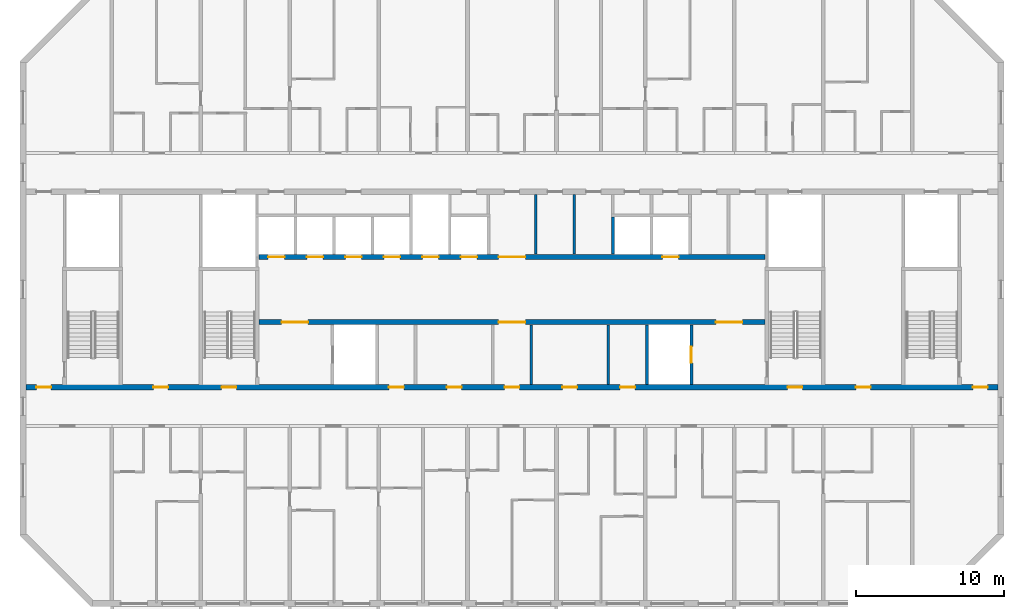
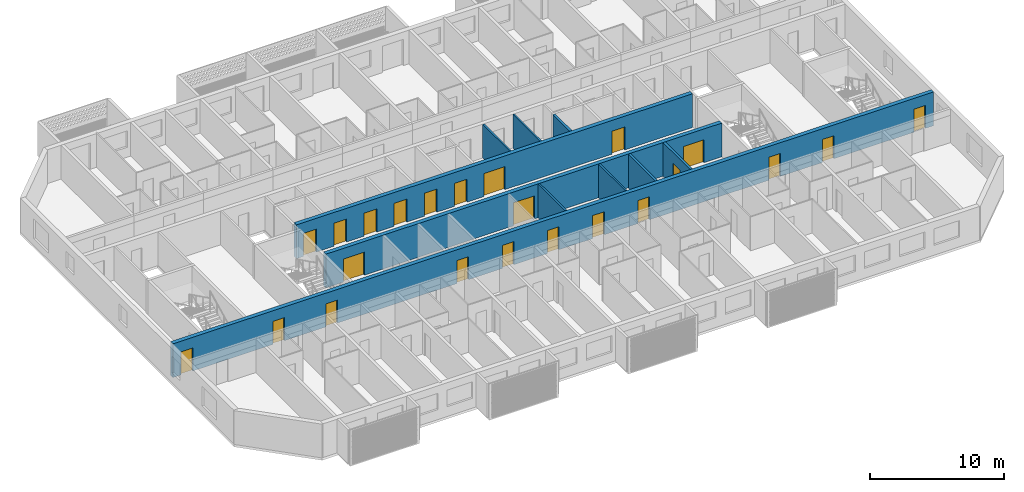
# One storey, part 6 of 29: 23 doors, 10 walls, 23 openings.
"""IFC4 building model written with IfcOpenShell, lengths in metres."""

from ifc_helpers import new_model, si_unit, direction, frame, frame_2d, origin, place, context, subcontext, project, spatial, rectangle, extrude, material, layer, layer_set, type_object, element, fill, save


model = new_model("IFC4")

# Units and contexts
model_context = context("Model", 3, precision=1e-05, world=origin(), true_north=direction((0.0, 1.0)))
body_context = subcontext(model_context, "Body", "Model", "MODEL_VIEW")
ifc_project = project(units=[si_unit("LENGTHUNIT", "METRE"), si_unit("AREAUNIT", "SQUARE_METRE"), si_unit("VOLUMEUNIT", "CUBIC_METRE"), si_unit("PLANEANGLEUNIT", "RADIAN"), si_unit("MASSUNIT", "GRAM", prefix="KILO")], contexts=[model_context])

# Site, building, storey
site_placement = place(None, origin())
site = spatial("IfcSite", under=ifc_project, at=site_placement, CompositionType="ELEMENT")
building_placement = place(site_placement, origin())
building = spatial("IfcBuilding", under=site, at=building_placement, Name="Poui Terraces", CompositionType="ELEMENT")
storey_placement = place(building_placement, frame((0.0, 0.0, 231.300048828125)))
storey = spatial("IfcBuildingStorey", under=building, at=storey_placement, Name="L64", CompositionType="ELEMENT", Elevation=231.300048828125)

# Wall, openings, doors
ifc_material_1 = material(Name="Concrete 50 MPa", Category="concrete")
ifc_layer_1 = layer(ifc_material_1, 0.35009765625)
ifc_layer_set_1 = layer_set([ifc_layer_1], Name="Concrete 50 MPa")
wall_type_1 = type_object("IfcWallType", Name="CORE WALL 350 50 MPA", PredefinedType="SOLIDWALL", material=ifc_layer_set_1)
wall_1_placement = place(storey_placement, frame((33.925048828125, 19.0, 0.0), z_axis=(0.0, 0.0, 1.0), x_axis=(1.0, 0.0, 0.0)))
wall_1 = element("IfcWall", 1, at=wall_1_placement, inside=storey, type_object=wall_type_1, Name="CORE WALL", PredefinedType="SOLIDWALL", context=body_context, shape_type="SweptSolid", body=[
    extrude(rectangle(XDim=34.14990234375, YDim=0.35009765625, at=frame_2d((17.074951171875, 0.0))), origin(), (0.0, 0.0, 1.0), 3.079833984375),
])
opening_1_placement = place(wall_1_placement, frame((16.175048828125, 0.0, 0.0)))
opening_1 = element("IfcOpeningElement", 2, at=opening_1_placement, cuts=wall_1, Name="Opening FDD60", PredefinedType="OPENING", context=body_context, shape_type="SweptSolid", body=[
    extrude(rectangle(XDim=1.800048828125, YDim=2.10009765625, at=frame_2d((0.89990234375, 1.050048828125))), frame((0.0, 0.18505859375, 0.0), z_axis=(0.0, -1.0, 0.0), x_axis=(1.0, 0.0, 0.0)), (0.0, 0.0, 1.0), 0.3701171875),
])
opening_2_placement = place(wall_1_placement, frame((1.52490234375, 0.0, 0.0)))
opening_2 = element("IfcOpeningElement", 3, at=opening_2_placement, cuts=wall_1, Name="Opening FDD60", PredefinedType="OPENING", context=body_context, shape_type="SweptSolid", body=[
    extrude(rectangle(XDim=1.800048828125, YDim=2.10009765625, at=frame_2d((0.89990234375, 1.050048828125))), frame((0.0, 0.18505859375, 0.0), z_axis=(0.0, -1.0, 0.0), x_axis=(1.0, 0.0, 0.0)), (0.0, 0.0, 1.0), 0.3701171875),
])
opening_3_placement = place(wall_1_placement, frame((30.824951171875, 0.0, 0.0)))
opening_3 = element("IfcOpeningElement", 4, at=opening_3_placement, cuts=wall_1, Name="Opening FDD60", PredefinedType="OPENING", context=body_context, shape_type="SweptSolid", body=[
    extrude(rectangle(XDim=1.800048828125, YDim=2.10009765625, at=frame_2d((0.89990234375, 1.050048828125))), frame((0.0, 0.18505859375, 0.0), z_axis=(0.0, -1.0, 0.0), x_axis=(1.0, 0.0, 0.0)), (0.0, 0.0, 1.0), 0.3701171875),
])
ifc_material_2 = material(Name="Steel fire door", Category="steel")
door_type_1 = type_object("IfcDoorType", Name="DOUBLE LOBBY FIRE DOOR 1800 X 2100", OperationType="DOUBLE_DOOR_SINGLE_SWING", PredefinedType="DOOR", material=ifc_material_2)
door_1_placement = place(opening_1_placement, frame((1.800048828125, 0.0, 0.0), z_axis=(0.0, 0.0, 1.0), x_axis=(-1.0, 0.0, 0.0)))
door_1 = element("IfcDoor", 5, at=door_1_placement, inside=storey, type_object=door_type_1, Name="DOUBLE LOBBY FIRE DOOR 105", OperationType="DOUBLE_DOOR_SINGLE_SWING", OverallHeight=2.10009765625, OverallWidth=1.800048828125, PredefinedType="DOOR", context=body_context, shape_type="SweptSolid", body=[
    extrude(rectangle(XDim=1.800048828125, YDim=2.10009765625, at=frame_2d((0.89990234375, 1.050048828125))), frame((0.0, 0.02490234375, 0.0), z_axis=(0.0, -1.0, 0.0), x_axis=(1.0, 0.0, 0.0)), (0.0, 0.0, 1.0), 0.050048828125),
])
fill(opening_1, door_1)
door_2_placement = place(opening_2_placement, origin())
door_2 = element("IfcDoor", 6, at=door_2_placement, inside=storey, type_object=door_type_1, Name="DOUBLE LOBBY FIRE DOOR 107", OperationType="DOUBLE_DOOR_SINGLE_SWING", OverallHeight=2.10009765625, OverallWidth=1.800048828125, PredefinedType="DOOR", context=body_context, shape_type="SweptSolid", body=[
    extrude(rectangle(XDim=1.800048828125, YDim=2.10009765625, at=frame_2d((0.89990234375, 1.050048828125))), frame((0.0, 0.02490234375, 0.0), z_axis=(0.0, -1.0, 0.0), x_axis=(1.0, 0.0, 0.0)), (0.0, 0.0, 1.0), 0.050048828125),
])
fill(opening_2, door_2)
door_3_placement = place(opening_3_placement, origin())
door_3 = element("IfcDoor", 7, at=door_3_placement, inside=storey, type_object=door_type_1, Name="DOUBLE LOBBY FIRE DOOR 114", OperationType="DOUBLE_DOOR_SINGLE_SWING", OverallHeight=2.10009765625, OverallWidth=1.800048828125, PredefinedType="DOOR", context=body_context, shape_type="SweptSolid", body=[
    extrude(rectangle(XDim=1.800048828125, YDim=2.10009765625, at=frame_2d((0.89990234375, 1.050048828125))), frame((0.0, 0.02490234375, 0.0), z_axis=(0.0, -1.0, 0.0), x_axis=(1.0, 0.0, 0.0)), (0.0, 0.0, 1.0), 0.050048828125),
])
fill(opening_3, door_3)

wall_2_placement = place(storey_placement, frame((33.925048828125, 23.39990234375, 0.0), z_axis=(0.0, 0.0, 1.0), x_axis=(1.0, 0.0, 0.0)))
wall_2 = element("IfcWall", 8, at=wall_2_placement, inside=storey, type_object=wall_type_1, Name="CORE WALL", PredefinedType="SOLIDWALL", context=body_context, shape_type="SweptSolid", body=[
    extrude(rectangle(XDim=34.14990234375, YDim=0.35009765625, at=frame_2d((17.074951171875, 0.0))), origin(), (0.0, 0.0, 1.0), 3.079833984375),
])
opening_4_placement = place(wall_2_placement, frame((16.175048828125, 0.0, 0.0)))
opening_4 = element("IfcOpeningElement", 9, at=opening_4_placement, cuts=wall_2, Name="Opening FDD60", PredefinedType="OPENING", context=body_context, shape_type="SweptSolid", body=[
    extrude(rectangle(XDim=1.800048828125, YDim=2.10009765625, at=frame_2d((0.89990234375, 1.050048828125))), frame((0.0, 0.18505859375, 0.0), z_axis=(0.0, -1.0, 0.0), x_axis=(1.0, 0.0, 0.0)), (0.0, 0.0, 1.0), 0.3701171875),
])
opening_5_placement = place(wall_2_placement, frame((0.625, 0.0, 0.0)))
opening_5 = element("IfcOpeningElement", 10, at=opening_5_placement, cuts=wall_2, Name="Opening LD", PredefinedType="OPENING", context=body_context, shape_type="SweptSolid", body=[
    extrude(rectangle(XDim=1.10009765625, YDim=2.10009765625, at=frame_2d((0.550048828125, 1.050048828125))), frame((0.0, 0.18505859375, 0.0), z_axis=(0.0, -1.0, 0.0), x_axis=(1.0, 0.0, 0.0)), (0.0, 0.0, 1.0), 0.3701171875),
])
opening_6_placement = place(wall_2_placement, frame((3.22509765625, 0.0, 0.0)))
opening_6 = element("IfcOpeningElement", 11, at=opening_6_placement, cuts=wall_2, Name="Opening LD", PredefinedType="OPENING", context=body_context, shape_type="SweptSolid", body=[
    extrude(rectangle(XDim=1.10009765625, YDim=2.10009765625, at=frame_2d((0.550048828125, 1.050048828125))), frame((0.0, 0.18505859375, 0.0), z_axis=(0.0, -1.0, 0.0), x_axis=(1.0, 0.0, 0.0)), (0.0, 0.0, 1.0), 0.3701171875),
])
opening_7_placement = place(wall_2_placement, frame((5.824951171875, 0.0, 0.0)))
opening_7 = element("IfcOpeningElement", 12, at=opening_7_placement, cuts=wall_2, Name="Opening LD", PredefinedType="OPENING", context=body_context, shape_type="SweptSolid", body=[
    extrude(rectangle(XDim=1.10009765625, YDim=2.10009765625, at=frame_2d((0.550048828125, 1.050048828125))), frame((0.0, 0.18505859375, 0.0), z_axis=(0.0, -1.0, 0.0), x_axis=(1.0, 0.0, 0.0)), (0.0, 0.0, 1.0), 0.3701171875),
])
opening_8_placement = place(wall_2_placement, frame((8.425048828125, 0.0, 0.0)))
opening_8 = element("IfcOpeningElement", 13, at=opening_8_placement, cuts=wall_2, Name="Opening LD", PredefinedType="OPENING", context=body_context, shape_type="SweptSolid", body=[
    extrude(rectangle(XDim=1.10009765625, YDim=2.10009765625, at=frame_2d((0.550048828125, 1.050048828125))), frame((0.0, 0.18505859375, 0.0), z_axis=(0.0, -1.0, 0.0), x_axis=(1.0, 0.0, 0.0)), (0.0, 0.0, 1.0), 0.3701171875),
])
opening_9_placement = place(wall_2_placement, frame((11.02490234375, 0.0, 0.0)))
opening_9 = element("IfcOpeningElement", 14, at=opening_9_placement, cuts=wall_2, Name="Opening LD", PredefinedType="OPENING", context=body_context, shape_type="SweptSolid", body=[
    extrude(rectangle(XDim=1.10009765625, YDim=2.10009765625, at=frame_2d((0.550048828125, 1.050048828125))), frame((0.0, 0.18505859375, 0.0), z_axis=(0.0, -1.0, 0.0), x_axis=(1.0, 0.0, 0.0)), (0.0, 0.0, 1.0), 0.3701171875),
])
opening_10_placement = place(wall_2_placement, frame((13.625, 0.0, 0.0)))
opening_10 = element("IfcOpeningElement", 15, at=opening_10_placement, cuts=wall_2, Name="Opening LD", PredefinedType="OPENING", context=body_context, shape_type="SweptSolid", body=[
    extrude(rectangle(XDim=1.10009765625, YDim=2.10009765625, at=frame_2d((0.550048828125, 1.050048828125))), frame((0.0, 0.18505859375, 0.0), z_axis=(0.0, -1.0, 0.0), x_axis=(1.0, 0.0, 0.0)), (0.0, 0.0, 1.0), 0.3701171875),
])
opening_11_placement = place(wall_2_placement, frame((27.22509765625, 0.0, 0.0)))
opening_11 = element("IfcOpeningElement", 16, at=opening_11_placement, cuts=wall_2, Name="Opening LD", PredefinedType="OPENING", context=body_context, shape_type="SweptSolid", body=[
    extrude(rectangle(XDim=1.10009765625, YDim=2.10009765625, at=frame_2d((0.550048828125, 1.050048828125))), frame((0.0, 0.18505859375, 0.0), z_axis=(0.0, -1.0, 0.0), x_axis=(1.0, 0.0, 0.0)), (0.0, 0.0, 1.0), 0.3701171875),
])
door_4_placement = place(opening_4_placement, origin())
door_4 = element("IfcDoor", 17, at=door_4_placement, inside=storey, type_object=door_type_1, Name="DOUBLE LOBBY FIRE DOOR 104", OperationType="DOUBLE_DOOR_SINGLE_SWING", OverallHeight=2.10009765625, OverallWidth=1.800048828125, PredefinedType="DOOR", context=body_context, shape_type="SweptSolid", body=[
    extrude(rectangle(XDim=1.800048828125, YDim=2.10009765625, at=frame_2d((0.89990234375, 1.050048828125))), frame((0.0, 0.02490234375, 0.0), z_axis=(0.0, -1.0, 0.0), x_axis=(1.0, 0.0, 0.0)), (0.0, 0.0, 1.0), 0.050048828125),
])
fill(opening_4, door_4)
ifc_material_3 = material(Name="Stainless steel sliding door", Category="steel")
door_type_2 = type_object("IfcDoorType", Name="LIFT LANDING DOOR 1100 X 2100", OperationType="DOUBLE_DOOR_SLIDING", PredefinedType="DOOR", material=ifc_material_3)
door_5_placement = place(opening_5_placement, origin())
door_5 = element("IfcDoor", 18, at=door_5_placement, inside=storey, type_object=door_type_2, Name="LANDING DOOR", OperationType="DOUBLE_DOOR_SLIDING", OverallHeight=2.10009765625, OverallWidth=1.10009765625, PredefinedType="DOOR", context=body_context, shape_type="SweptSolid", body=[
    extrude(rectangle(XDim=1.10009765625, YDim=2.10009765625, at=frame_2d((0.550048828125, 1.050048828125))), frame((0.0, 0.02490234375, 0.0), z_axis=(0.0, -1.0, 0.0), x_axis=(1.0, 0.0, 0.0)), (0.0, 0.0, 1.0), 0.050048828125),
])
fill(opening_5, door_5)
door_6_placement = place(opening_6_placement, origin())
door_6 = element("IfcDoor", 19, at=door_6_placement, inside=storey, type_object=door_type_2, Name="LANDING DOOR", OperationType="DOUBLE_DOOR_SLIDING", OverallHeight=2.10009765625, OverallWidth=1.10009765625, PredefinedType="DOOR", context=body_context, shape_type="SweptSolid", body=[
    extrude(rectangle(XDim=1.10009765625, YDim=2.10009765625, at=frame_2d((0.550048828125, 1.050048828125))), frame((0.0, 0.02490234375, 0.0), z_axis=(0.0, -1.0, 0.0), x_axis=(1.0, 0.0, 0.0)), (0.0, 0.0, 1.0), 0.050048828125),
])
fill(opening_6, door_6)
door_7_placement = place(opening_7_placement, origin())
door_7 = element("IfcDoor", 20, at=door_7_placement, inside=storey, type_object=door_type_2, Name="LANDING DOOR", OperationType="DOUBLE_DOOR_SLIDING", OverallHeight=2.10009765625, OverallWidth=1.10009765625, PredefinedType="DOOR", context=body_context, shape_type="SweptSolid", body=[
    extrude(rectangle(XDim=1.10009765625, YDim=2.10009765625, at=frame_2d((0.550048828125, 1.050048828125))), frame((0.0, 0.02490234375, 0.0), z_axis=(0.0, -1.0, 0.0), x_axis=(1.0, 0.0, 0.0)), (0.0, 0.0, 1.0), 0.050048828125),
])
fill(opening_7, door_7)
door_8_placement = place(opening_8_placement, origin())
door_8 = element("IfcDoor", 21, at=door_8_placement, inside=storey, type_object=door_type_2, Name="LANDING DOOR", OperationType="DOUBLE_DOOR_SLIDING", OverallHeight=2.10009765625, OverallWidth=1.10009765625, PredefinedType="DOOR", context=body_context, shape_type="SweptSolid", body=[
    extrude(rectangle(XDim=1.10009765625, YDim=2.10009765625, at=frame_2d((0.550048828125, 1.050048828125))), frame((0.0, 0.02490234375, 0.0), z_axis=(0.0, -1.0, 0.0), x_axis=(1.0, 0.0, 0.0)), (0.0, 0.0, 1.0), 0.050048828125),
])
fill(opening_8, door_8)
door_9_placement = place(opening_9_placement, origin())
door_9 = element("IfcDoor", 22, at=door_9_placement, inside=storey, type_object=door_type_2, Name="LANDING DOOR", OperationType="DOUBLE_DOOR_SLIDING", OverallHeight=2.10009765625, OverallWidth=1.10009765625, PredefinedType="DOOR", context=body_context, shape_type="SweptSolid", body=[
    extrude(rectangle(XDim=1.10009765625, YDim=2.10009765625, at=frame_2d((0.550048828125, 1.050048828125))), frame((0.0, 0.02490234375, 0.0), z_axis=(0.0, -1.0, 0.0), x_axis=(1.0, 0.0, 0.0)), (0.0, 0.0, 1.0), 0.050048828125),
])
fill(opening_9, door_9)
door_10_placement = place(opening_10_placement, origin())
door_10 = element("IfcDoor", 23, at=door_10_placement, inside=storey, type_object=door_type_2, Name="LANDING DOOR", OperationType="DOUBLE_DOOR_SLIDING", OverallHeight=2.10009765625, OverallWidth=1.10009765625, PredefinedType="DOOR", context=body_context, shape_type="SweptSolid", body=[
    extrude(rectangle(XDim=1.10009765625, YDim=2.10009765625, at=frame_2d((0.550048828125, 1.050048828125))), frame((0.0, 0.02490234375, 0.0), z_axis=(0.0, -1.0, 0.0), x_axis=(1.0, 0.0, 0.0)), (0.0, 0.0, 1.0), 0.050048828125),
])
fill(opening_10, door_10)
door_11_placement = place(opening_11_placement, origin())
door_11 = element("IfcDoor", 24, at=door_11_placement, inside=storey, type_object=door_type_2, Name="LANDING DOOR", OperationType="DOUBLE_DOOR_SLIDING", OverallHeight=2.10009765625, OverallWidth=1.10009765625, PredefinedType="DOOR", context=body_context, shape_type="SweptSolid", body=[
    extrude(rectangle(XDim=1.10009765625, YDim=2.10009765625, at=frame_2d((0.550048828125, 1.050048828125))), frame((0.0, 0.02490234375, 0.0), z_axis=(0.0, -1.0, 0.0), x_axis=(1.0, 0.0, 0.0)), (0.0, 0.0, 1.0), 0.050048828125),
])
fill(opening_11, door_11)

# Walls
ifc_material_4 = material(Name="Fire-rated plasterboard wall")
ifc_layer_2 = layer(ifc_material_4, 0.14990234375)
ifc_layer_set_2 = layer_set([ifc_layer_2], Name="Fire-rated plasterboard wall")
wall_type_2 = type_object("IfcWallType", Name="CORRIDOR WALL 150", PredefinedType="PARTITIONING", material=ifc_layer_set_2)
for number, where, z_axis, x_axis, name in (
    (25, (52.300048828125, 14.784912109375, 0.0), (0.0, 0.0, 1.0), (0.0, 1.0, 0.0), "CORRIDOR WALL 150"),
    (26, (52.60009765625, 23.5849609375, 0.0), (0.0, 0.0, 1.0), (0.0, 1.0, 0.0), "CORRIDOR WALL 150"),
):
    element("IfcWall", number, at=place(storey_placement, frame(where, z_axis=z_axis, x_axis=x_axis)), inside=storey, type_object=wall_type_2, Name=name, PredefinedType="PARTITIONING", context=body_context, shape_type="SweptSolid", body=[
        extrude(rectangle(XDim=4.030029296875, YDim=0.14990234375, at=frame_2d((2.01513671875, 0.0))), origin(), (0.0, 0.0, 1.0), 3.079833984375),
    ])
ifc_material_5 = material(Name="Plasterboard partition")
ifc_layer_3 = layer(ifc_material_5, 0.14990234375)
ifc_layer_set_3 = layer_set([ifc_layer_3], Name="Plasterboard partition")
wall_type_3 = type_object("IfcWallType", Name="PARTITION WALL 150", PredefinedType="PARTITIONING", material=ifc_layer_set_3)
for number, where, z_axis, x_axis, name in (
    (27, (55.199951171875, 23.5849609375, 0.0), (0.0, 0.0, 1.0), (0.0, 1.0, 0.0), "PARTITION WALL 150"),
    (28, (57.5, 14.784912109375, 0.0), (0.0, 0.0, 1.0), (0.0, 1.0, 0.0), "PARTITION WALL 150"),
):
    element("IfcWall", number, at=place(storey_placement, frame(where, z_axis=z_axis, x_axis=x_axis)), inside=storey, type_object=wall_type_3, Name=name, PredefinedType="PARTITIONING", context=body_context, shape_type="SweptSolid", body=[
        extrude(rectangle(XDim=4.030029296875, YDim=0.14990234375, at=frame_2d((2.01513671875, 0.0))), origin(), (0.0, 0.0, 1.0), 3.079833984375),
    ])
ifc_material_6 = material(Name="Fire-rated masonry shaft wall", Category="masonry")
ifc_layer_4 = layer(ifc_material_6, 0.199951171875)
ifc_layer_set_4 = layer_set([ifc_layer_4], Name="Fire-rated masonry shaft wall")
wall_type_4 = type_object("IfcWallType", Name="SHAFT WALL 200", PredefinedType="PARTITIONING", material=ifc_layer_set_4)
wall_3_placement = place(storey_placement, frame((57.800048828125, 23.5849609375, 0.0), z_axis=(0.0, 0.0, 1.0), x_axis=(0.0, 1.0, 0.0)))
element("IfcWall", 29, at=wall_3_placement, inside=storey, type_object=wall_type_4, Name="SHAFT WALL 200", PredefinedType="PARTITIONING", context=body_context, shape_type="SweptSolid", body=[
    extrude(rectangle(XDim=2.51513671875, YDim=0.199951171875, at=frame_2d((1.257568359375, 0.0))), origin(), (0.0, 0.0, 1.0), 3.079833984375),
])
wall_4_placement = place(storey_placement, frame((60.10009765625, 14.784912109375, 0.0), z_axis=(0.0, 0.0, 1.0), x_axis=(0.0, 1.0, 0.0)))
element("IfcWall", 30, at=wall_4_placement, inside=storey, type_object=wall_type_4, Name="SHAFT WALL 200", PredefinedType="PARTITIONING", context=body_context, shape_type="SweptSolid", body=[
    extrude(rectangle(XDim=4.030029296875, YDim=0.199951171875, at=frame_2d((2.01513671875, 0.0))), origin(), (0.0, 0.0, 1.0), 3.079833984375),
])

# Wall, opening, door
wall_5_placement = place(storey_placement, frame((63.10009765625, 14.784912109375, 0.0), z_axis=(0.0, 0.0, 1.0), x_axis=(0.0, 1.0, 0.0)))
wall_5 = element("IfcWall", 31, at=wall_5_placement, inside=storey, type_object=wall_type_4, Name="SHAFT WALL 200", PredefinedType="PARTITIONING", context=body_context, shape_type="SweptSolid", body=[
    extrude(rectangle(XDim=4.030029296875, YDim=0.199951171875, at=frame_2d((2.01513671875, 0.0))), origin(), (0.0, 0.0, 1.0), 3.079833984375),
])
opening_12_placement = place(wall_5_placement, frame((1.465087890625, 0.0, 0.0)))
opening_12 = element("IfcOpeningElement", 32, at=opening_12_placement, cuts=wall_5, Name="Opening LD", PredefinedType="OPENING", context=body_context, shape_type="SweptSolid", body=[
    extrude(rectangle(XDim=1.10009765625, YDim=2.10009765625, at=frame_2d((0.550048828125, 1.050048828125))), frame((0.0, 0.10986328125, 0.0), z_axis=(0.0, -1.0, 0.0), x_axis=(1.0, 0.0, 0.0)), (0.0, 0.0, 1.0), 0.219970703125),
])
door_12_placement = place(opening_12_placement, origin())
door_12 = element("IfcDoor", 33, at=door_12_placement, inside=storey, type_object=door_type_2, Name="LANDING DOOR", OperationType="DOUBLE_DOOR_SLIDING", OverallHeight=2.10009765625, OverallWidth=1.10009765625, PredefinedType="DOOR", context=body_context, shape_type="SweptSolid", body=[
    extrude(rectangle(XDim=1.10009765625, YDim=2.10009765625, at=frame_2d((0.550048828125, 1.050048828125))), frame((0.0, 0.02490234375, 0.0), z_axis=(0.0, -1.0, 0.0), x_axis=(1.0, 0.0, 0.0)), (0.0, 0.0, 1.0), 0.050048828125),
])
fill(opening_12, door_12)

# Wall, openings, doors
ifc_layer_5 = layer(ifc_material_1, 0.35009765625)
ifc_layer_set_5 = layer_set([ifc_layer_5], Name="Concrete 50 MPa")
wall_type_5 = type_object("IfcWallType", Name="SPINE WALL 350 50 MPA", PredefinedType="SOLIDWALL", material=ifc_layer_set_5)
wall_6_placement = place(storey_placement, frame((18.199951171875, 14.60009765625, 0.0), z_axis=(0.0, 0.0, 1.0), x_axis=(1.0, 0.0, 0.0)))
wall_6 = element("IfcWall", 34, at=wall_6_placement, inside=storey, type_object=wall_type_5, Name="SPINE WALL", PredefinedType="SOLIDWALL", context=body_context, shape_type="SweptSolid", body=[
    extrude(rectangle(XDim=65.60009765625, YDim=0.35009765625, at=frame_2d((32.800048828125, 0.0))), origin(), (0.0, 0.0, 1.0), 3.079833984375),
])
opening_13_placement = place(wall_6_placement, frame((0.699951171875, 0.0, 0.0)))
opening_13 = element("IfcOpeningElement", 35, at=opening_13_placement, cuts=wall_6, Name="Opening FDL", PredefinedType="OPENING", context=body_context, shape_type="SweptSolid", body=[
    extrude(rectangle(XDim=1.0, YDim=2.10009765625, at=frame_2d((0.5, 1.050048828125))), frame((0.0, 0.18505859375, 0.0), z_axis=(0.0, -1.0, 0.0), x_axis=(1.0, 0.0, 0.0)), (0.0, 0.0, 1.0), 0.3701171875),
])
opening_14_placement = place(wall_6_placement, frame((8.60009765625, 0.0, 0.0)))
opening_14 = element("IfcOpeningElement", 36, at=opening_14_placement, cuts=wall_6, Name="Opening D100", PredefinedType="OPENING", context=body_context, shape_type="SweptSolid", body=[
    extrude(rectangle(XDim=1.0, YDim=2.10009765625, at=frame_2d((0.5, 1.050048828125))), frame((0.0, 0.18505859375, 0.0), z_axis=(0.0, -1.0, 0.0), x_axis=(1.0, 0.0, 0.0)), (0.0, 0.0, 1.0), 0.3701171875),
])
opening_15_placement = place(wall_6_placement, frame((13.199951171875, 0.0, 0.0)))
opening_15 = element("IfcOpeningElement", 37, at=opening_15_placement, cuts=wall_6, Name="Opening FD60S", PredefinedType="OPENING", context=body_context, shape_type="SweptSolid", body=[
    extrude(rectangle(XDim=1.0, YDim=2.10009765625, at=frame_2d((0.5, 1.050048828125))), frame((0.0, 0.18505859375, 0.0), z_axis=(0.0, -1.0, 0.0), x_axis=(1.0, 0.0, 0.0)), (0.0, 0.0, 1.0), 0.3701171875),
])
opening_16_placement = place(wall_6_placement, frame((24.5, 0.0, 0.0)))
opening_16 = element("IfcOpeningElement", 38, at=opening_16_placement, cuts=wall_6, Name="Opening FD60", PredefinedType="OPENING", context=body_context, shape_type="SweptSolid", body=[
    extrude(rectangle(XDim=1.0, YDim=2.10009765625, at=frame_2d((0.5, 1.050048828125))), frame((0.0, 0.18505859375, 0.0), z_axis=(0.0, -1.0, 0.0), x_axis=(1.0, 0.0, 0.0)), (0.0, 0.0, 1.0), 0.3701171875),
])
opening_17_placement = place(wall_6_placement, frame((28.39990234375, 0.0, 0.0)))
opening_17 = element("IfcOpeningElement", 39, at=opening_17_placement, cuts=wall_6, Name="Opening FD60", PredefinedType="OPENING", context=body_context, shape_type="SweptSolid", body=[
    extrude(rectangle(XDim=1.0, YDim=2.10009765625, at=frame_2d((0.5, 1.050048828125))), frame((0.0, 0.18505859375, 0.0), z_axis=(0.0, -1.0, 0.0), x_axis=(1.0, 0.0, 0.0)), (0.0, 0.0, 1.0), 0.3701171875),
])
opening_18_placement = place(wall_6_placement, frame((32.300048828125, 0.0, 0.0)))
opening_18 = element("IfcOpeningElement", 40, at=opening_18_placement, cuts=wall_6, Name="Opening FDL", PredefinedType="OPENING", context=body_context, shape_type="SweptSolid", body=[
    extrude(rectangle(XDim=1.0, YDim=2.10009765625, at=frame_2d((0.5, 1.050048828125))), frame((0.0, 0.18505859375, 0.0), z_axis=(0.0, -1.0, 0.0), x_axis=(1.0, 0.0, 0.0)), (0.0, 0.0, 1.0), 0.3701171875),
])
opening_19_placement = place(wall_6_placement, frame((36.199951171875, 0.0, 0.0)))
opening_19 = element("IfcOpeningElement", 41, at=opening_19_placement, cuts=wall_6, Name="Opening FD60", PredefinedType="OPENING", context=body_context, shape_type="SweptSolid", body=[
    extrude(rectangle(XDim=1.0, YDim=2.10009765625, at=frame_2d((0.5, 1.050048828125))), frame((0.0, 0.18505859375, 0.0), z_axis=(0.0, -1.0, 0.0), x_axis=(1.0, 0.0, 0.0)), (0.0, 0.0, 1.0), 0.3701171875),
])
opening_20_placement = place(wall_6_placement, frame((40.10009765625, 0.0, 0.0)))
opening_20 = element("IfcOpeningElement", 42, at=opening_20_placement, cuts=wall_6, Name="Opening FD60", PredefinedType="OPENING", context=body_context, shape_type="SweptSolid", body=[
    extrude(rectangle(XDim=1.0, YDim=2.10009765625, at=frame_2d((0.5, 1.050048828125))), frame((0.0, 0.18505859375, 0.0), z_axis=(0.0, -1.0, 0.0), x_axis=(1.0, 0.0, 0.0)), (0.0, 0.0, 1.0), 0.3701171875),
])
opening_21_placement = place(wall_6_placement, frame((51.39990234375, 0.0, 0.0)))
opening_21 = element("IfcOpeningElement", 43, at=opening_21_placement, cuts=wall_6, Name="Opening FD60S", PredefinedType="OPENING", context=body_context, shape_type="SweptSolid", body=[
    extrude(rectangle(XDim=1.0, YDim=2.10009765625, at=frame_2d((0.5, 1.050048828125))), frame((0.0, 0.18505859375, 0.0), z_axis=(0.0, -1.0, 0.0), x_axis=(1.0, 0.0, 0.0)), (0.0, 0.0, 1.0), 0.3701171875),
])
opening_22_placement = place(wall_6_placement, frame((56.0, 0.0, 0.0)))
opening_22 = element("IfcOpeningElement", 44, at=opening_22_placement, cuts=wall_6, Name="Opening D100", PredefinedType="OPENING", context=body_context, shape_type="SweptSolid", body=[
    extrude(rectangle(XDim=1.0, YDim=2.10009765625, at=frame_2d((0.5, 1.050048828125))), frame((0.0, 0.18505859375, 0.0), z_axis=(0.0, -1.0, 0.0), x_axis=(1.0, 0.0, 0.0)), (0.0, 0.0, 1.0), 0.3701171875),
])
opening_23_placement = place(wall_6_placement, frame((63.89990234375, 0.0, 0.0)))
opening_23 = element("IfcOpeningElement", 45, at=opening_23_placement, cuts=wall_6, Name="Opening FDL", PredefinedType="OPENING", context=body_context, shape_type="SweptSolid", body=[
    extrude(rectangle(XDim=1.0, YDim=2.10009765625, at=frame_2d((0.5, 1.050048828125))), frame((0.0, 0.18505859375, 0.0), z_axis=(0.0, -1.0, 0.0), x_axis=(1.0, 0.0, 0.0)), (0.0, 0.0, 1.0), 0.3701171875),
])
ifc_material_7 = material(Name="Solid core timber door", Category="wood")
door_type_3 = type_object("IfcDoorType", Name="ACCESSIBLE INTERNAL DOOR 1000 X 2100", OperationType="NOTDEFINED", PredefinedType="DOOR", material=ifc_material_7)
door_13_placement = place(opening_14_placement, frame((1.0, 0.0, 0.0), z_axis=(0.0, 0.0, 1.0), x_axis=(-1.0, 0.0, 0.0)))
door_13 = element("IfcDoor", 46, at=door_13_placement, inside=storey, type_object=door_type_3, Name="ACCESSIBLE INTERNAL DOOR 018", OperationType="SINGLE_SWING_RIGHT", OverallHeight=2.10009765625, OverallWidth=1.0, PredefinedType="DOOR", context=body_context, shape_type="SweptSolid", body=[
    extrude(rectangle(XDim=1.0, YDim=2.10009765625, at=frame_2d((0.5, 1.050048828125))), frame((0.0, 0.02490234375, 0.0), z_axis=(0.0, -1.0, 0.0), x_axis=(1.0, 0.0, 0.0)), (0.0, 0.0, 1.0), 0.050048828125),
])
fill(opening_14, door_13)
door_14_placement = place(opening_22_placement, frame((1.0, 0.0, 0.0), z_axis=(0.0, 0.0, 1.0), x_axis=(-1.0, 0.0, 0.0)))
door_14 = element("IfcDoor", 47, at=door_14_placement, inside=storey, type_object=door_type_3, Name="ACCESSIBLE INTERNAL DOOR 026", OperationType="SINGLE_SWING_LEFT", OverallHeight=2.10009765625, OverallWidth=1.0, PredefinedType="DOOR", context=body_context, shape_type="SweptSolid", body=[
    extrude(rectangle(XDim=1.0, YDim=2.10009765625, at=frame_2d((0.5, 1.050048828125))), frame((0.0, 0.02490234375, 0.0), z_axis=(0.0, -1.0, 0.0), x_axis=(1.0, 0.0, 0.0)), (0.0, 0.0, 1.0), 0.050048828125),
])
fill(opening_22, door_14)
door_type_4 = type_object("IfcDoorType", Name="LOBBY FIRE DOOR 1000 X 2100", OperationType="NOTDEFINED", PredefinedType="DOOR", material=ifc_material_2)
door_15_placement = place(opening_13_placement, frame((1.0, 0.0, 0.0), z_axis=(0.0, 0.0, 1.0), x_axis=(-1.0, 0.0, 0.0)))
door_15 = element("IfcDoor", 48, at=door_15_placement, inside=storey, type_object=door_type_4, Name="LOBBY FIRE DOOR 017", OperationType="SINGLE_SWING_RIGHT", OverallHeight=2.10009765625, OverallWidth=1.0, PredefinedType="DOOR", context=body_context, shape_type="SweptSolid", body=[
    extrude(rectangle(XDim=1.0, YDim=2.10009765625, at=frame_2d((0.5, 1.050048828125))), frame((0.0, 0.02490234375, 0.0), z_axis=(0.0, -1.0, 0.0), x_axis=(1.0, 0.0, 0.0)), (0.0, 0.0, 1.0), 0.050048828125),
])
fill(opening_13, door_15)
door_16_placement = place(opening_18_placement, frame((1.0, 0.0, 0.0), z_axis=(0.0, 0.0, 1.0), x_axis=(-1.0, 0.0, 0.0)))
door_16 = element("IfcDoor", 49, at=door_16_placement, inside=storey, type_object=door_type_4, Name="LOBBY FIRE DOOR 022", OperationType="SINGLE_SWING_LEFT", OverallHeight=2.10009765625, OverallWidth=1.0, PredefinedType="DOOR", context=body_context, shape_type="SweptSolid", body=[
    extrude(rectangle(XDim=1.0, YDim=2.10009765625, at=frame_2d((0.5, 1.050048828125))), frame((0.0, 0.02490234375, 0.0), z_axis=(0.0, -1.0, 0.0), x_axis=(1.0, 0.0, 0.0)), (0.0, 0.0, 1.0), 0.050048828125),
])
fill(opening_18, door_16)
door_17_placement = place(opening_23_placement, frame((1.0, 0.0, 0.0), z_axis=(0.0, 0.0, 1.0), x_axis=(-1.0, 0.0, 0.0)))
door_17 = element("IfcDoor", 50, at=door_17_placement, inside=storey, type_object=door_type_4, Name="LOBBY FIRE DOOR 027", OperationType="SINGLE_SWING_LEFT", OverallHeight=2.10009765625, OverallWidth=1.0, PredefinedType="DOOR", context=body_context, shape_type="SweptSolid", body=[
    extrude(rectangle(XDim=1.0, YDim=2.10009765625, at=frame_2d((0.5, 1.050048828125))), frame((0.0, 0.02490234375, 0.0), z_axis=(0.0, -1.0, 0.0), x_axis=(1.0, 0.0, 0.0)), (0.0, 0.0, 1.0), 0.050048828125),
])
fill(opening_23, door_17)
door_type_5 = type_object("IfcDoorType", Name="SERVICE ROOM FIRE DOOR 1000 X 2100", OperationType="NOTDEFINED", PredefinedType="DOOR", material=ifc_material_2)
door_18_placement = place(opening_16_placement, frame((1.0, 0.0, 0.0), z_axis=(0.0, 0.0, 1.0), x_axis=(-1.0, 0.0, 0.0)))
door_18 = element("IfcDoor", 51, at=door_18_placement, inside=storey, type_object=door_type_5, Name="SERVICE ROOM FIRE DOOR 020", OperationType="SINGLE_SWING_LEFT", OverallHeight=2.10009765625, OverallWidth=1.0, PredefinedType="DOOR", context=body_context, shape_type="SweptSolid", body=[
    extrude(rectangle(XDim=1.0, YDim=2.10009765625, at=frame_2d((0.5, 1.050048828125))), frame((0.0, 0.02490234375, 0.0), z_axis=(0.0, -1.0, 0.0), x_axis=(1.0, 0.0, 0.0)), (0.0, 0.0, 1.0), 0.050048828125),
])
fill(opening_16, door_18)
door_19_placement = place(opening_17_placement, frame((1.0, 0.0, 0.0), z_axis=(0.0, 0.0, 1.0), x_axis=(-1.0, 0.0, 0.0)))
door_19 = element("IfcDoor", 52, at=door_19_placement, inside=storey, type_object=door_type_5, Name="SERVICE ROOM FIRE DOOR 021", OperationType="SINGLE_SWING_RIGHT", OverallHeight=2.10009765625, OverallWidth=1.0, PredefinedType="DOOR", context=body_context, shape_type="SweptSolid", body=[
    extrude(rectangle(XDim=1.0, YDim=2.10009765625, at=frame_2d((0.5, 1.050048828125))), frame((0.0, 0.02490234375, 0.0), z_axis=(0.0, -1.0, 0.0), x_axis=(1.0, 0.0, 0.0)), (0.0, 0.0, 1.0), 0.050048828125),
])
fill(opening_17, door_19)
door_20_placement = place(opening_19_placement, frame((1.0, 0.0, 0.0), z_axis=(0.0, 0.0, 1.0), x_axis=(-1.0, 0.0, 0.0)))
door_20 = element("IfcDoor", 53, at=door_20_placement, inside=storey, type_object=door_type_5, Name="SERVICE ROOM FIRE DOOR 023", OperationType="SINGLE_SWING_LEFT", OverallHeight=2.10009765625, OverallWidth=1.0, PredefinedType="DOOR", context=body_context, shape_type="SweptSolid", body=[
    extrude(rectangle(XDim=1.0, YDim=2.10009765625, at=frame_2d((0.5, 1.050048828125))), frame((0.0, 0.02490234375, 0.0), z_axis=(0.0, -1.0, 0.0), x_axis=(1.0, 0.0, 0.0)), (0.0, 0.0, 1.0), 0.050048828125),
])
fill(opening_19, door_20)
door_21_placement = place(opening_20_placement, frame((1.0, 0.0, 0.0), z_axis=(0.0, 0.0, 1.0), x_axis=(-1.0, 0.0, 0.0)))
door_21 = element("IfcDoor", 54, at=door_21_placement, inside=storey, type_object=door_type_5, Name="SERVICE ROOM FIRE DOOR 024", OperationType="SINGLE_SWING_RIGHT", OverallHeight=2.10009765625, OverallWidth=1.0, PredefinedType="DOOR", context=body_context, shape_type="SweptSolid", body=[
    extrude(rectangle(XDim=1.0, YDim=2.10009765625, at=frame_2d((0.5, 1.050048828125))), frame((0.0, 0.02490234375, 0.0), z_axis=(0.0, -1.0, 0.0), x_axis=(1.0, 0.0, 0.0)), (0.0, 0.0, 1.0), 0.050048828125),
])
fill(opening_20, door_21)
door_type_6 = type_object("IfcDoorType", Name="STAIR DOOR 1000 X 2100", OperationType="NOTDEFINED", PredefinedType="DOOR", material=ifc_material_2)
door_22_placement = place(opening_15_placement, origin())
door_22 = element("IfcDoor", 55, at=door_22_placement, inside=storey, type_object=door_type_6, Name="STAIR DOOR 019", OperationType="SINGLE_SWING_RIGHT", OverallHeight=2.10009765625, OverallWidth=1.0, PredefinedType="DOOR", context=body_context, shape_type="SweptSolid", body=[
    extrude(rectangle(XDim=1.0, YDim=2.10009765625, at=frame_2d((0.5, 1.050048828125))), frame((0.0, 0.02490234375, 0.0), z_axis=(0.0, -1.0, 0.0), x_axis=(1.0, 0.0, 0.0)), (0.0, 0.0, 1.0), 0.050048828125),
])
fill(opening_15, door_22)
door_23_placement = place(opening_21_placement, origin())
door_23 = element("IfcDoor", 56, at=door_23_placement, inside=storey, type_object=door_type_6, Name="STAIR DOOR 025", OperationType="SINGLE_SWING_RIGHT", OverallHeight=2.10009765625, OverallWidth=1.0, PredefinedType="DOOR", context=body_context, shape_type="SweptSolid", body=[
    extrude(rectangle(XDim=1.0, YDim=2.10009765625, at=frame_2d((0.5, 1.050048828125))), frame((0.0, 0.02490234375, 0.0), z_axis=(0.0, -1.0, 0.0), x_axis=(1.0, 0.0, 0.0)), (0.0, 0.0, 1.0), 0.050048828125),
])
fill(opening_21, door_23)

save(model, "model.ifc")
